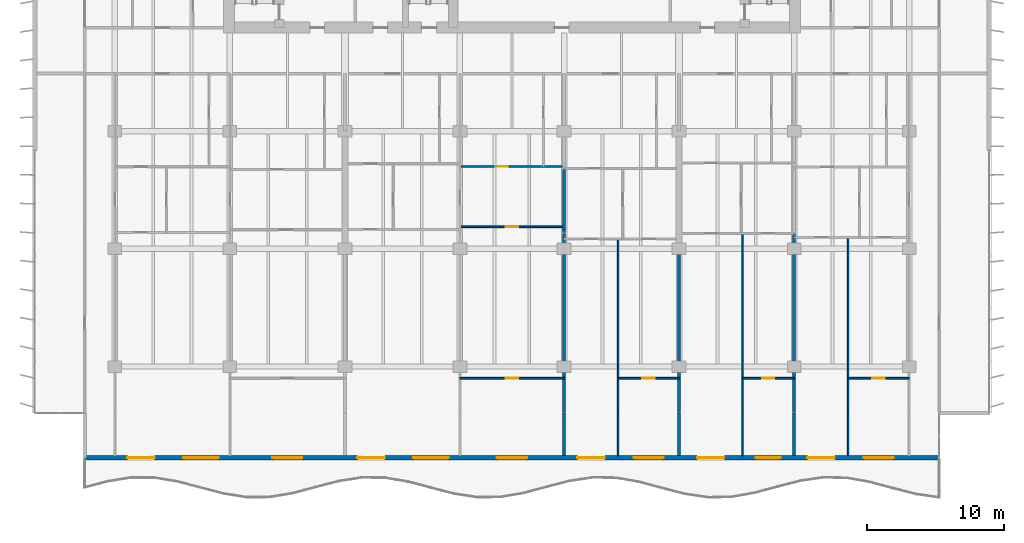
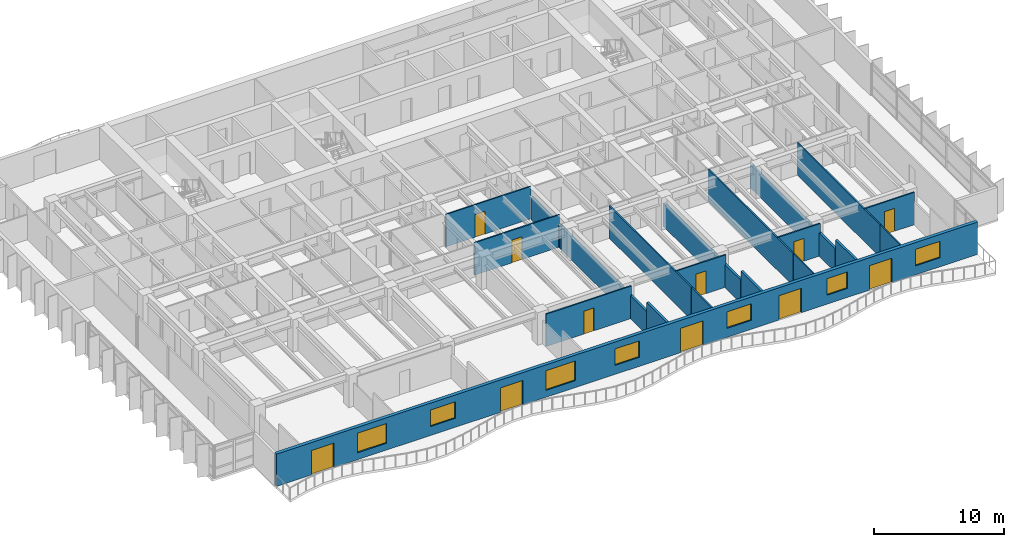
# One storey, part 8 of 20: 21 walls, 11 doors, 7 windows, 18 openings.
"""IFC4 building model written with IfcOpenShell, lengths in metres."""

import ifcopenshell
import ifcopenshell.guid

model = None  # the IFC model being written
_history = None  # IfcOwnerHistory: only IFC2X3 demands one
_inside = {}  # id of a spatial element -> (the spatial element, [elements in it])
_under = {}  # id of a project, library or spatial element -> (it, [spatial elements below it])
_declared = {}  # id of a project -> (the project, [libraries it declares])
_typed = {}  # id of a type object -> (the type object, [elements of that type])
_made_of = {}  # id of a material, layer set ... -> (it, [elements and type objects made of it])


def new_model(schema):
    """Start an empty IFC model of exactly this schema.

    Asked for "IFC4X3", IfcOpenShell would pick the latest addendum, in which some entities
    have other attributes; the version numbers below select the first issue.
    IFC2X3 requires an IfcOwnerHistory on every rooted entity: one is made here for all.
    """
    global model, _history
    if schema == "IFC4X3":
        model = ifcopenshell.file(schema_version=(4, 3, 0, 0))
    else:
        model = ifcopenshell.file(schema=schema)
    _inside.clear()
    _under.clear()
    _declared.clear()
    _typed.clear()
    _made_of.clear()
    _history = None
    if model.schema == "IFC2X3":
        org = make("IfcOrganization", Name="unknown")
        user = make(
            "IfcPersonAndOrganization",
            ThePerson=make("IfcPerson", FamilyName="unknown"),
            TheOrganization=org,
        )
        app = make(
            "IfcApplication",
            ApplicationDeveloper=org,
            Version="unknown",
            ApplicationFullName="unknown",
            ApplicationIdentifier="unknown",
        )
        _history = make(
            "IfcOwnerHistory",
            OwningUser=user,
            OwningApplication=app,
            ChangeAction="ADDED",
            CreationDate=0,
        )
    return model


def make(cls, **values):
    """One entity of the class cls with the attributes given. An attribute that is None is left unset."""
    return model.create_entity(
        cls, **{name: value for name, value in values.items() if value is not None}
    )


def rooted(cls, **values):
    """An entity with a GlobalId (a new one), such as an element, a storey or a relation."""
    return make(cls, GlobalId=ifcopenshell.guid.new(), OwnerHistory=_history, **values)


def si_unit(unit_type, name, prefix=None):
    """IfcSIUnit, for example si_unit("LENGTHUNIT", "METRE", prefix="MILLI")."""
    return make("IfcSIUnit", UnitType=unit_type, Prefix=prefix, Name=name)


def assignment(units):
    """IfcUnitAssignment: the units of a project."""
    return None if units is None else make("IfcUnitAssignment", Units=units)


def point(xyz):
    """IfcCartesianPoint."""
    return None if xyz is None else make("IfcCartesianPoint", Coordinates=xyz)


def direction(xyz):
    """IfcDirection."""
    return None if xyz is None else make("IfcDirection", DirectionRatios=xyz)


def frame(location, z_axis=None, x_axis=None):
    """IfcAxis2Placement3D, a coordinate frame: its origin and axes. An axis left out is left unset."""
    return make(
        "IfcAxis2Placement3D",
        Location=point(location),
        Axis=direction(z_axis),
        RefDirection=direction(x_axis),
    )


def frame_2d(location, x_axis=None):
    """IfcAxis2Placement2D, a coordinate frame in the plane: its origin and x axis."""
    return make(
        "IfcAxis2Placement2D", Location=point(location), RefDirection=direction(x_axis)
    )


def origin():
    """The frame at (0, 0, 0) with its axes left unset."""
    return frame((0.0, 0.0, 0.0))


def place(relative_to, where):
    """IfcLocalPlacement: puts the frame where relative to a parent placement (None: the world)."""
    return make(
        "IfcLocalPlacement", PlacementRelTo=relative_to, RelativePlacement=where
    )


def context(
    kind, dimensions, precision=None, world=None, true_north=None, identifier=None
):
    """IfcGeometricRepresentationContext, for example the 3D "Model" context."""
    return make(
        "IfcGeometricRepresentationContext",
        ContextIdentifier=identifier,
        ContextType=kind,
        CoordinateSpaceDimension=dimensions,
        Precision=precision,
        WorldCoordinateSystem=world,
        TrueNorth=true_north,
    )


def subcontext(parent, identifier, kind, view, scale=None):
    """IfcGeometricRepresentationSubContext, for example "Body" below "Model"."""
    return make(
        "IfcGeometricRepresentationSubContext",
        ContextIdentifier=identifier,
        ContextType=kind,
        ParentContext=parent,
        TargetScale=scale,
        TargetView=view,
    )


def project(units=None, contexts=None):
    """IfcProject with its units and contexts."""
    return rooted(
        "IfcProject",
        Name="project",
        RepresentationContexts=contexts,
        UnitsInContext=assignment(units),
    )


def spatial(cls, under=None, at=None, **own):
    """A site, building, storey or space (cls), placed at a placement, below another one or the project."""
    s = rooted(cls, ObjectPlacement=at, **own)
    if under is not None:
        _under.setdefault(under.id(), (under, []))[1].append(s)
    return s


def profile(cls, at=None, kind="AREA", **sizes):
    """A parametric profile (cls). Its sizes go by their IFC names, for example OverallWidth=200.0."""
    return make(cls, ProfileType=kind, Position=at, **sizes)


def rectangle(**sizes):
    """IfcRectangleProfileDef."""
    return profile("IfcRectangleProfileDef", **sizes)


def extrude(swept, where, along, depth):
    """IfcExtrudedAreaSolid: the profile swept, set in the frame where, extruded along a direction by depth."""
    return make(
        "IfcExtrudedAreaSolid",
        SweptArea=swept,
        Position=where,
        ExtrudedDirection=direction(along),
        Depth=depth,
    )


def shape(context_of_items, identifier, shape_type, items):
    """IfcShapeRepresentation: the items that make up one representation, for example the "Body"."""
    return make(
        "IfcShapeRepresentation",
        ContextOfItems=context_of_items,
        RepresentationIdentifier=identifier,
        RepresentationType=shape_type,
        Items=items,
    )


def material(Name=None, Category=None):
    """IfcMaterial."""
    return make("IfcMaterial", Name=Name, Category=Category)


def layer(
    of_material, thickness, ventilated=None, Name=None, Category=None, Priority=None
):
    """IfcMaterialLayer: one layer of a wall or slab, of a material (None: an air gap)."""
    return make(
        "IfcMaterialLayer",
        Material=of_material,
        LayerThickness=thickness,
        IsVentilated=ventilated,
        Name=Name,
        Category=Category,
        Priority=Priority,
    )


def layer_set(layers, Name=None):
    """IfcMaterialLayerSet."""
    return make("IfcMaterialLayerSet", MaterialLayers=layers, LayerSetName=Name)


def made_of(thing, what):
    """Note that an element or type object is made of a material, layer set ...; save() writes the relation."""
    if what is not None:
        _made_of.setdefault(what.id(), (what, []))[1].append(thing)
    return thing


def type_object(cls, material=None, **own):
    """A type object (cls), such as IfcWallType, which elements share."""
    return made_of(rooted(cls, **own), material)


def element(
    cls,
    number,
    at=None,
    inside=None,
    cuts=None,
    type_object=None,
    material=None,
    context=None,
    identifier="Body",
    shape_type=None,
    held_by="IfcProductDefinitionShape",
    body=None,
    shapes=None,
    **own,
):
    """One element of the class cls, such as IfcWall. Its Tag is "e" and its number.

    at: its placement. inside: the storey or other place that contains it. cuts: it is an
    opening in that element (IfcRelVoidsElement). A single representation is given by context,
    identifier, shape_type and body (its items); several are given by shapes. held_by: the class
    of the entity that holds the representations. save() writes the other relations.
    """
    e = rooted(cls, Tag="e%d" % number, ObjectPlacement=at, **own)
    if body is not None:
        shapes = [shape(context, identifier, shape_type, body)]
    if shapes is not None:
        e.Representation = make(held_by, Representations=shapes)
    if inside is not None:
        _inside.setdefault(inside.id(), (inside, []))[1].append(e)
    if cuts is not None:
        rooted(
            "IfcRelVoidsElement", RelatingBuildingElement=cuts, RelatedOpeningElement=e
        )
    if type_object is not None:
        _typed.setdefault(type_object.id(), (type_object, []))[1].append(e)
    return made_of(e, material)


def fill(opening, filler):
    """IfcRelFillsElement: the door or window that sits in an opening."""
    return rooted(
        "IfcRelFillsElement",
        RelatingOpeningElement=opening,
        RelatedBuildingElement=filler,
    )


def aggregate(whole, parts):
    """IfcRelAggregates: a whole, such as a stair, and the parts it consists of."""
    return rooted("IfcRelAggregates", RelatingObject=whole, RelatedObjects=parts)


def save(model, path):
    """Write the relations noted so far, then the file.

    IfcRelAggregates (storeys below a building ...), IfcRelContainedInSpatialStructure (elements
    in a storey), IfcRelDefinesByType, IfcRelAssociatesMaterial and IfcRelDeclares: one each for
    every whole, place, type object, material and project.
    """
    for whole, parts in _under.values():
        aggregate(whole, parts)
    for where, things in _inside.values():
        rooted(
            "IfcRelContainedInSpatialStructure",
            RelatedElements=things,
            RelatingStructure=where,
        )
    for kind, things in _typed.values():
        rooted("IfcRelDefinesByType", RelatedObjects=things, RelatingType=kind)
    for what, things in _made_of.values():
        rooted("IfcRelAssociatesMaterial", RelatedObjects=things, RelatingMaterial=what)
    for by, libraries in _declared.values():
        rooted("IfcRelDeclares", RelatingContext=by, RelatedDefinitions=libraries)
    model.write(path)


model = new_model("IFC4")

# Units and contexts
model_context = context("Model", 3, precision=1e-05, world=origin(), true_north=direction((0.0, 1.0)))
body_context = subcontext(model_context, "Body", "Model", "MODEL_VIEW")
ifc_project = project(units=[si_unit("LENGTHUNIT", "METRE"), si_unit("AREAUNIT", "SQUARE_METRE"), si_unit("VOLUMEUNIT", "CUBIC_METRE"), si_unit("PLANEANGLEUNIT", "RADIAN"), si_unit("MASSUNIT", "GRAM", prefix="KILO")], contexts=[model_context])

# Site, building, storey
site_placement = place(None, origin())
site = spatial("IfcSite", under=ifc_project, at=site_placement, CompositionType="ELEMENT")
building_placement = place(site_placement, origin())
building = spatial("IfcBuilding", under=site, at=building_placement, Name="Caelmar Bay Residences", CompositionType="ELEMENT")
storey_placement = place(building_placement, frame((0.0, 0.0, 119.10009765625)))
storey = spatial("IfcBuildingStorey", under=building, at=storey_placement, Name="L32", CompositionType="ELEMENT", Elevation=119.10009765625)

# Wall, openings, doors, windows
ifc_material_1 = material(Name="Precast concrete f'c 40 MPa (6,000 psi)", Category="concrete")
ifc_layer_1 = layer(ifc_material_1, 0.300048828125)
ifc_layer_set_1 = layer_set([ifc_layer_1], Name="Precast concrete f'c 40 MPa (6,000 psi)")
wall_type_1 = type_object("IfcWallType", Name="W-EXT-300", PredefinedType="STANDARD", material=ifc_layer_set_1)
wall_1_placement = place(storey_placement, frame((70.10009765625, 5.550048828125, 0.0), z_axis=(0.0, 0.0, 1.0), x_axis=(-1.0, 0.0, 0.0)))
wall_1 = element("IfcWall", 1, at=wall_1_placement, inside=storey, type_object=wall_type_1, Name="L32 South Bayfront Exterior Wall", PredefinedType="STANDARD", context=body_context, shape_type="SweptSolid", body=[
    extrude(rectangle(XDim=62.400146484375, YDim=0.300048828125, at=frame_2d((31.2001953125, 0.0))), origin(), (0.0, 0.0, 1.0), 3.0498046875),
])
opening_1_placement = place(wall_1_placement, frame((57.2900390625, 0.0, 0.0)))
opening_1 = element("IfcOpeningElement", 2, at=opening_1_placement, cuts=wall_1, Name="Opening L32-BD01", PredefinedType="OPENING", context=body_context, shape_type="SweptSolid", body=[
    extrude(rectangle(XDim=2.0, YDim=2.300048828125, at=frame_2d((1.0, 1.14990234375))), frame((0.0, 0.159912109375, 0.0), z_axis=(0.0, -1.0, 0.0), x_axis=(1.0, 0.0, 0.0)), (0.0, 0.0, 1.0), 0.320068359375),
])
opening_2_placement = place(wall_1_placement, frame((52.610107421875, 0.0, 0.64990234375)))
opening_2 = element("IfcOpeningElement", 3, at=opening_2_placement, cuts=wall_1, Name="Opening WN3", PredefinedType="OPENING", context=body_context, shape_type="SweptSolid", body=[
    extrude(rectangle(XDim=2.60009765625, YDim=1.85009765625, at=frame_2d((1.300048828125, 0.925048828125))), frame((0.0, 0.159912109375, 0.0), z_axis=(0.0, -1.0, 0.0), x_axis=(1.0, 0.0, 0.0)), (0.0, 0.0, 1.0), 0.320068359375),
])
opening_3_placement = place(wall_1_placement, frame((46.5, 0.0, 0.85009765625)))
opening_3 = element("IfcOpeningElement", 4, at=opening_3_placement, cuts=wall_1, Name="Opening WN2", PredefinedType="OPENING", context=body_context, shape_type="SweptSolid", body=[
    extrude(rectangle(XDim=2.199951171875, YDim=1.550048828125, at=frame_2d((1.10009765625, 0.77490234375))), frame((0.0, 0.159912109375, 0.0), z_axis=(0.0, -1.0, 0.0), x_axis=(1.0, 0.0, 0.0)), (0.0, 0.0, 1.0), 0.320068359375),
])
opening_4_placement = place(wall_1_placement, frame((40.489990234375, 0.0, 0.0)))
opening_4 = element("IfcOpeningElement", 5, at=opening_4_placement, cuts=wall_1, Name="Opening L32-BD02", PredefinedType="OPENING", context=body_context, shape_type="SweptSolid", body=[
    extrude(rectangle(XDim=2.0, YDim=2.300048828125, at=frame_2d((1.0, 1.14990234375))), frame((0.0, 0.159912109375, 0.0), z_axis=(0.0, -1.0, 0.0), x_axis=(1.0, 0.0, 0.0)), (0.0, 0.0, 1.0), 0.320068359375),
])
opening_5_placement = place(wall_1_placement, frame((35.81005859375, 0.0, 0.64990234375)))
opening_5 = element("IfcOpeningElement", 6, at=opening_5_placement, cuts=wall_1, Name="Opening WN3", PredefinedType="OPENING", context=body_context, shape_type="SweptSolid", body=[
    extrude(rectangle(XDim=2.60009765625, YDim=1.85009765625, at=frame_2d((1.300048828125, 0.925048828125))), frame((0.0, 0.159912109375, 0.0), z_axis=(0.0, -1.0, 0.0), x_axis=(1.0, 0.0, 0.0)), (0.0, 0.0, 1.0), 0.320068359375),
])
opening_6_placement = place(wall_1_placement, frame((30.10009765625, 0.0, 0.85009765625)))
opening_6 = element("IfcOpeningElement", 7, at=opening_6_placement, cuts=wall_1, Name="Opening WN2", PredefinedType="OPENING", context=body_context, shape_type="SweptSolid", body=[
    extrude(rectangle(XDim=2.199951171875, YDim=1.550048828125, at=frame_2d((1.10009765625, 0.77490234375))), frame((0.0, 0.159912109375, 0.0), z_axis=(0.0, -1.0, 0.0), x_axis=(1.0, 0.0, 0.0)), (0.0, 0.0, 1.0), 0.320068359375),
])
opening_7_placement = place(wall_1_placement, frame((24.426025390625, 0.0, 0.0)))
opening_7 = element("IfcOpeningElement", 8, at=opening_7_placement, cuts=wall_1, Name="Opening L32-BD03", PredefinedType="OPENING", context=body_context, shape_type="SweptSolid", body=[
    extrude(rectangle(XDim=2.0, YDim=2.300048828125, at=frame_2d((1.0, 1.14990234375))), frame((0.0, 0.159912109375, 0.0), z_axis=(0.0, -1.0, 0.0), x_axis=(1.0, 0.0, 0.0)), (0.0, 0.0, 1.0), 0.320068359375),
])
opening_8_placement = place(wall_1_placement, frame((20.1259765625, 0.0, 0.85009765625)))
opening_8 = element("IfcOpeningElement", 9, at=opening_8_placement, cuts=wall_1, Name="Opening WN2", PredefinedType="OPENING", context=body_context, shape_type="SweptSolid", body=[
    extrude(rectangle(XDim=2.199951171875, YDim=1.550048828125, at=frame_2d((1.10009765625, 0.77490234375))), frame((0.0, 0.159912109375, 0.0), z_axis=(0.0, -1.0, 0.0), x_axis=(1.0, 0.0, 0.0)), (0.0, 0.0, 1.0), 0.320068359375),
])
opening_9_placement = place(wall_1_placement, frame((15.68994140625, 0.0, 0.0)))
opening_9 = element("IfcOpeningElement", 10, at=opening_9_placement, cuts=wall_1, Name="Opening L32-BD04", PredefinedType="OPENING", context=body_context, shape_type="SweptSolid", body=[
    extrude(rectangle(XDim=2.0, YDim=2.300048828125, at=frame_2d((1.0, 1.14990234375))), frame((0.0, 0.159912109375, 0.0), z_axis=(0.0, -1.0, 0.0), x_axis=(1.0, 0.0, 0.0)), (0.0, 0.0, 1.0), 0.320068359375),
])
opening_10_placement = place(wall_1_placement, frame((11.590087890625, 0.0, 0.85009765625)))
opening_10 = element("IfcOpeningElement", 11, at=opening_10_placement, cuts=wall_1, Name="Opening WN1", PredefinedType="OPENING", context=body_context, shape_type="SweptSolid", body=[
    extrude(rectangle(XDim=1.800048828125, YDim=1.550048828125, at=frame_2d((0.89990234375, 0.77490234375))), frame((0.0, 0.159912109375, 0.0), z_axis=(0.0, -1.0, 0.0), x_axis=(1.0, 0.0, 0.0)), (0.0, 0.0, 1.0), 0.320068359375),
])
opening_11_placement = place(wall_1_placement, frame((7.6259765625, 0.0, 0.0)))
opening_11 = element("IfcOpeningElement", 12, at=opening_11_placement, cuts=wall_1, Name="Opening L32-BD05", PredefinedType="OPENING", context=body_context, shape_type="SweptSolid", body=[
    extrude(rectangle(XDim=2.0, YDim=2.300048828125, at=frame_2d((1.0, 1.14990234375))), frame((0.0, 0.159912109375, 0.0), z_axis=(0.0, -1.0, 0.0), x_axis=(1.0, 0.0, 0.0)), (0.0, 0.0, 1.0), 0.320068359375),
])
opening_12_placement = place(wall_1_placement, frame((3.325927734375, 0.0, 0.85009765625)))
opening_12 = element("IfcOpeningElement", 13, at=opening_12_placement, cuts=wall_1, Name="Opening WN2", PredefinedType="OPENING", context=body_context, shape_type="SweptSolid", body=[
    extrude(rectangle(XDim=2.199951171875, YDim=1.550048828125, at=frame_2d((1.10009765625, 0.77490234375))), frame((0.0, 0.159912109375, 0.0), z_axis=(0.0, -1.0, 0.0), x_axis=(1.0, 0.0, 0.0)), (0.0, 0.0, 1.0), 0.320068359375),
])
ifc_material_2 = material(Name="Anodised bronze thermally broken sliding glass door", Category="glass")
ifc_layer_2 = layer(ifc_material_2, 0.050048828125)
ifc_layer_set_2 = layer_set([ifc_layer_2], Name="Anodised bronze thermally broken sliding glass door")
door_type_1 = type_object("IfcDoorType", Name="D-BAL-2000", OperationType="DOUBLE_DOOR_SLIDING", PredefinedType="DOOR", material=ifc_layer_set_2)
door_1_placement = place(opening_1_placement, origin())
door_1 = element("IfcDoor", 14, at=door_1_placement, inside=storey, type_object=door_type_1, Name="L32 Residence 01 Penthouse Living Salon Balcony Door", OperationType="DOUBLE_DOOR_SLIDING", OverallHeight=2.300048828125, OverallWidth=2.0, PredefinedType="DOOR", context=body_context, shape_type="SweptSolid", body=[
    extrude(rectangle(XDim=2.0, YDim=2.300048828125, at=frame_2d((1.0, 1.14990234375))), frame((0.0, 0.02490234375, 0.0), z_axis=(0.0, -1.0, 0.0), x_axis=(1.0, 0.0, 0.0)), (0.0, 0.0, 1.0), 0.050048828125),
])
fill(opening_1, door_1)
door_2_placement = place(opening_4_placement, origin())
door_2 = element("IfcDoor", 15, at=door_2_placement, inside=storey, type_object=door_type_1, Name="L32 Residence 02 Penthouse Living Salon Balcony Door", OperationType="DOUBLE_DOOR_SLIDING", OverallHeight=2.300048828125, OverallWidth=2.0, PredefinedType="DOOR", context=body_context, shape_type="SweptSolid", body=[
    extrude(rectangle(XDim=2.0, YDim=2.300048828125, at=frame_2d((1.0, 1.14990234375))), frame((0.0, 0.02490234375, 0.0), z_axis=(0.0, -1.0, 0.0), x_axis=(1.0, 0.0, 0.0)), (0.0, 0.0, 1.0), 0.050048828125),
])
fill(opening_4, door_2)
door_3_placement = place(opening_7_placement, origin())
door_3 = element("IfcDoor", 16, at=door_3_placement, inside=storey, type_object=door_type_1, Name="L32 Residence 03 Living Room Balcony Door", OperationType="DOUBLE_DOOR_SLIDING", OverallHeight=2.300048828125, OverallWidth=2.0, PredefinedType="DOOR", context=body_context, shape_type="SweptSolid", body=[
    extrude(rectangle(XDim=2.0, YDim=2.300048828125, at=frame_2d((1.0, 1.14990234375))), frame((0.0, 0.02490234375, 0.0), z_axis=(0.0, -1.0, 0.0), x_axis=(1.0, 0.0, 0.0)), (0.0, 0.0, 1.0), 0.050048828125),
])
fill(opening_7, door_3)
door_4_placement = place(opening_9_placement, origin())
door_4 = element("IfcDoor", 17, at=door_4_placement, inside=storey, type_object=door_type_1, Name="L32 Residence 04 Living Room Balcony Door", OperationType="DOUBLE_DOOR_SLIDING", OverallHeight=2.300048828125, OverallWidth=2.0, PredefinedType="DOOR", context=body_context, shape_type="SweptSolid", body=[
    extrude(rectangle(XDim=2.0, YDim=2.300048828125, at=frame_2d((1.0, 1.14990234375))), frame((0.0, 0.02490234375, 0.0), z_axis=(0.0, -1.0, 0.0), x_axis=(1.0, 0.0, 0.0)), (0.0, 0.0, 1.0), 0.050048828125),
])
fill(opening_9, door_4)
door_5_placement = place(opening_11_placement, origin())
door_5 = element("IfcDoor", 18, at=door_5_placement, inside=storey, type_object=door_type_1, Name="L32 Residence 05 Living Room Balcony Door", OperationType="DOUBLE_DOOR_SLIDING", OverallHeight=2.300048828125, OverallWidth=2.0, PredefinedType="DOOR", context=body_context, shape_type="SweptSolid", body=[
    extrude(rectangle(XDim=2.0, YDim=2.300048828125, at=frame_2d((1.0, 1.14990234375))), frame((0.0, 0.02490234375, 0.0), z_axis=(0.0, -1.0, 0.0), x_axis=(1.0, 0.0, 0.0)), (0.0, 0.0, 1.0), 0.050048828125),
])
fill(opening_11, door_5)
ifc_material_3 = material(Name="Bronze aluminium frame with laminated low-E glass", Category="aluminium")
ifc_layer_3 = layer(ifc_material_3, 0.06005859375)
ifc_layer_set_3 = layer_set([ifc_layer_3], Name="Bronze aluminium frame with laminated low-E glass")
window_type_1 = type_object("IfcWindowType", Name="WIN-BR-1800", PartitioningType="SINGLE_PANEL", PredefinedType="WINDOW", material=ifc_layer_set_3)
window_1_placement = place(opening_10_placement, origin())
window_1 = element("IfcWindow", 19, at=window_1_placement, inside=storey, type_object=window_type_1, Name="L32 Residence 04 Primary Bedroom Window", OverallHeight=1.550048828125, OverallWidth=1.800048828125, PartitioningType="SINGLE_PANEL", PredefinedType="WINDOW", context=body_context, shape_type="SweptSolid", body=[
    extrude(rectangle(XDim=1.800048828125, YDim=1.550048828125, at=frame_2d((0.89990234375, 0.77490234375))), frame((0.0, 0.030029296875, 0.0), z_axis=(0.0, -1.0, 0.0), x_axis=(1.0, 0.0, 0.0)), (0.0, 0.0, 1.0), 0.06005859375),
])
fill(opening_10, window_1)
ifc_layer_4 = layer(ifc_material_3, 0.06005859375)
ifc_layer_set_4 = layer_set([ifc_layer_4], Name="Bronze aluminium frame with laminated low-E glass")
window_type_2 = type_object("IfcWindowType", Name="WIN-BR-2200", PartitioningType="SINGLE_PANEL", PredefinedType="WINDOW", material=ifc_layer_set_4)
window_2_placement = place(opening_3_placement, origin())
window_2 = element("IfcWindow", 20, at=window_2_placement, inside=storey, type_object=window_type_2, Name="L32 Residence 01 Primary Bedroom 1 Window", OverallHeight=1.550048828125, OverallWidth=2.199951171875, PartitioningType="SINGLE_PANEL", PredefinedType="WINDOW", context=body_context, shape_type="SweptSolid", body=[
    extrude(rectangle(XDim=2.199951171875, YDim=1.550048828125, at=frame_2d((1.10009765625, 0.77490234375))), frame((0.0, 0.030029296875, 0.0), z_axis=(0.0, -1.0, 0.0), x_axis=(1.0, 0.0, 0.0)), (0.0, 0.0, 1.0), 0.06005859375),
])
fill(opening_3, window_2)
window_3_placement = place(opening_6_placement, origin())
window_3 = element("IfcWindow", 21, at=window_3_placement, inside=storey, type_object=window_type_2, Name="L32 Residence 02 Primary Bedroom 1 Window", OverallHeight=1.550048828125, OverallWidth=2.199951171875, PartitioningType="SINGLE_PANEL", PredefinedType="WINDOW", context=body_context, shape_type="SweptSolid", body=[
    extrude(rectangle(XDim=2.199951171875, YDim=1.550048828125, at=frame_2d((1.10009765625, 0.77490234375))), frame((0.0, 0.030029296875, 0.0), z_axis=(0.0, -1.0, 0.0), x_axis=(1.0, 0.0, 0.0)), (0.0, 0.0, 1.0), 0.06005859375),
])
fill(opening_6, window_3)
window_4_placement = place(opening_8_placement, origin())
window_4 = element("IfcWindow", 22, at=window_4_placement, inside=storey, type_object=window_type_2, Name="L32 Residence 03 Primary Bedroom Window", OverallHeight=1.550048828125, OverallWidth=2.199951171875, PartitioningType="SINGLE_PANEL", PredefinedType="WINDOW", context=body_context, shape_type="SweptSolid", body=[
    extrude(rectangle(XDim=2.199951171875, YDim=1.550048828125, at=frame_2d((1.10009765625, 0.77490234375))), frame((0.0, 0.030029296875, 0.0), z_axis=(0.0, -1.0, 0.0), x_axis=(1.0, 0.0, 0.0)), (0.0, 0.0, 1.0), 0.06005859375),
])
fill(opening_8, window_4)
window_5_placement = place(opening_12_placement, origin())
window_5 = element("IfcWindow", 23, at=window_5_placement, inside=storey, type_object=window_type_2, Name="L32 Residence 05 Primary Bedroom Window", OverallHeight=1.550048828125, OverallWidth=2.199951171875, PartitioningType="SINGLE_PANEL", PredefinedType="WINDOW", context=body_context, shape_type="SweptSolid", body=[
    extrude(rectangle(XDim=2.199951171875, YDim=1.550048828125, at=frame_2d((1.10009765625, 0.77490234375))), frame((0.0, 0.030029296875, 0.0), z_axis=(0.0, -1.0, 0.0), x_axis=(1.0, 0.0, 0.0)), (0.0, 0.0, 1.0), 0.06005859375),
])
fill(opening_12, window_5)
ifc_layer_5 = layer(ifc_material_3, 0.06005859375)
ifc_layer_set_5 = layer_set([ifc_layer_5], Name="Bronze aluminium frame with laminated low-E glass")
window_type_3 = type_object("IfcWindowType", Name="WIN-LIV-2600", PartitioningType="SINGLE_PANEL", PredefinedType="WINDOW", material=ifc_layer_set_5)
window_6_placement = place(opening_2_placement, origin())
window_6 = element("IfcWindow", 24, at=window_6_placement, inside=storey, type_object=window_type_3, Name="L32 Residence 01 Penthouse Living Salon Panoramic Window", OverallHeight=1.85009765625, OverallWidth=2.60009765625, PartitioningType="SINGLE_PANEL", PredefinedType="WINDOW", context=body_context, shape_type="SweptSolid", body=[
    extrude(rectangle(XDim=2.60009765625, YDim=1.85009765625, at=frame_2d((1.300048828125, 0.925048828125))), frame((0.0, 0.030029296875, 0.0), z_axis=(0.0, -1.0, 0.0), x_axis=(1.0, 0.0, 0.0)), (0.0, 0.0, 1.0), 0.06005859375),
])
fill(opening_2, window_6)
window_7_placement = place(opening_5_placement, origin())
window_7 = element("IfcWindow", 25, at=window_7_placement, inside=storey, type_object=window_type_3, Name="L32 Residence 02 Penthouse Living Salon Panoramic Window", OverallHeight=1.85009765625, OverallWidth=2.60009765625, PartitioningType="SINGLE_PANEL", PredefinedType="WINDOW", context=body_context, shape_type="SweptSolid", body=[
    extrude(rectangle(XDim=2.60009765625, YDim=1.85009765625, at=frame_2d((1.300048828125, 0.925048828125))), frame((0.0, 0.030029296875, 0.0), z_axis=(0.0, -1.0, 0.0), x_axis=(1.0, 0.0, 0.0)), (0.0, 0.0, 1.0), 0.06005859375),
])
fill(opening_5, window_7)

# Walls
ifc_material_4 = material(Name="Acoustic metal-stud gypsum partition 120 mm")
ifc_layer_6 = layer(ifc_material_4, 0.1201171875)
ifc_layer_set_6 = layer_set([ifc_layer_6], Name="Acoustic metal-stud gypsum partition 120 mm")
wall_type_2 = type_object("IfcWallType", Name="W-PRT-120", PredefinedType="PARTITIONING", material=ifc_layer_set_6)
wall_2_placement = place(storey_placement, frame((46.64794921875, 5.695068359375, 0.0), z_axis=(0.0, 0.0, 1.0), x_axis=(0.0, 1.0, 0.0)))
element("IfcWall", 26, at=wall_2_placement, inside=storey, type_object=wall_type_2, Name="L32 Partition Wall V067", PredefinedType="PARTITIONING", context=body_context, shape_type="SweptSolid", body=[
    extrude(rectangle(XDim=3.10498046875, YDim=0.1201171875, at=frame_2d((1.552490234375, 0.0))), origin(), (0.0, 0.0, 1.0), 3.0498046875),
])
wall_3_placement = place(storey_placement, frame((46.64794921875, 8.840087890625, 0.0), z_axis=(0.0, 0.0, 1.0), x_axis=(0.0, 1.0, 0.0)))
element("IfcWall", 27, at=wall_3_placement, inside=storey, type_object=wall_type_2, Name="L32 Partition Wall V068", PredefinedType="PARTITIONING", context=body_context, shape_type="SweptSolid", body=[
    extrude(rectangle(XDim=12.68994140625, YDim=0.1201171875, at=frame_2d((6.344970703125, 0.0))), origin(), (0.0, 0.0, 1.0), 3.0498046875),
])
wall_4_placement = place(storey_placement, frame((55.719970703125, 5.695068359375, 0.0), z_axis=(0.0, 0.0, 1.0), x_axis=(0.0, 1.0, 0.0)))
element("IfcWall", 28, at=wall_4_placement, inside=storey, type_object=wall_type_2, Name="L32 Partition Wall V087", PredefinedType="PARTITIONING", context=body_context, shape_type="SweptSolid", body=[
    extrude(rectangle(XDim=3.10498046875, YDim=0.1201171875, at=frame_2d((1.552490234375, 0.0))), origin(), (0.0, 0.0, 1.0), 3.0498046875),
])
wall_5_placement = place(storey_placement, frame((55.719970703125, 8.840087890625, 0.0), z_axis=(0.0, 0.0, 1.0), x_axis=(0.0, 1.0, 0.0)))
element("IfcWall", 29, at=wall_5_placement, inside=storey, type_object=wall_type_2, Name="L32 Partition Wall V088", PredefinedType="PARTITIONING", context=body_context, shape_type="SweptSolid", body=[
    extrude(rectangle(XDim=13.08984375, YDim=0.1201171875, at=frame_2d((6.544921875, 0.0))), origin(), (0.0, 0.0, 1.0), 3.0498046875),
])
wall_6_placement = place(storey_placement, frame((63.447998046875, 5.695068359375, 0.0), z_axis=(0.0, 0.0, 1.0), x_axis=(0.0, 1.0, 0.0)))
element("IfcWall", 30, at=wall_6_placement, inside=storey, type_object=wall_type_2, Name="L32 Partition Wall V099", PredefinedType="PARTITIONING", context=body_context, shape_type="SweptSolid", body=[
    extrude(rectangle(XDim=3.10498046875, YDim=0.1201171875, at=frame_2d((1.552490234375, 0.0))), origin(), (0.0, 0.0, 1.0), 3.0498046875),
])
wall_7_placement = place(storey_placement, frame((63.447998046875, 8.840087890625, 0.0), z_axis=(0.0, 0.0, 1.0), x_axis=(0.0, 1.0, 0.0)))
element("IfcWall", 31, at=wall_7_placement, inside=storey, type_object=wall_type_2, Name="L32 Partition Wall V100", PredefinedType="PARTITIONING", context=body_context, shape_type="SweptSolid", body=[
    extrude(rectangle(XDim=12.789794921875, YDim=0.1201171875, at=frame_2d((6.39501953125, 0.0))), origin(), (0.0, 0.0, 1.0), 3.0498046875),
])

# Wall, opening, door
wall_8_placement = place(storey_placement, frame((35.10009765625, 11.35009765625, 0.0), z_axis=(0.0, 0.0, 1.0), x_axis=(1.0, 0.0, 0.0)))
wall_8 = element("IfcWall", 32, at=wall_8_placement, inside=storey, type_object=wall_type_2, Name="L32 Partition Wall H125", PredefinedType="PARTITIONING", context=body_context, shape_type="SweptSolid", body=[
    extrude(rectangle(XDim=7.599853515625, YDim=0.1201171875, at=frame_2d((3.7998046875, 0.0))), origin(), (0.0, 0.0, 1.0), 3.0498046875),
])
opening_13_placement = place(wall_8_placement, frame((3.35009765625, 0.0, 0.0)))
opening_13 = element("IfcOpeningElement", 33, at=opening_13_placement, cuts=wall_8, Name="Opening D-L32-142", PredefinedType="OPENING", context=body_context, shape_type="SweptSolid", body=[
    extrude(rectangle(XDim=0.89990234375, YDim=2.14990234375, at=frame_2d((0.449951171875, 1.074951171875))), frame((0.0, 0.070068359375, 0.0), z_axis=(0.0, -1.0, 0.0), x_axis=(1.0, 0.0, 0.0)), (0.0, 0.0, 1.0), 0.14013671875),
])
ifc_material_5 = material(Name="Solid walnut timber interior door leaf and frame", Category="wood")
ifc_layer_7 = layer(ifc_material_5, 0.050048828125)
ifc_layer_set_7 = layer_set([ifc_layer_7], Name="Solid walnut timber interior door leaf and frame")
door_type_2 = type_object("IfcDoorType", Name="D-ROOM-900", OperationType="NOTDEFINED", PredefinedType="DOOR", material=ifc_layer_set_7)
door_6_placement = place(opening_13_placement, origin())
door_6 = element("IfcDoor", 34, at=door_6_placement, inside=storey, type_object=door_type_2, Name="L32 Residence 02 Primary Bedroom 1 Door", OperationType="SINGLE_SWING_RIGHT", OverallHeight=2.14990234375, OverallWidth=0.89990234375, PredefinedType="DOOR", context=body_context, shape_type="SweptSolid", body=[
    extrude(rectangle(XDim=0.89990234375, YDim=2.14990234375, at=frame_2d((0.449951171875, 1.074951171875))), frame((0.0, 0.02490234375, 0.0), z_axis=(0.0, -1.0, 0.0), x_axis=(1.0, 0.0, 0.0)), (0.0, 0.0, 1.0), 0.050048828125),
])
fill(opening_13, door_6)

wall_9_placement = place(storey_placement, frame((46.64794921875, 11.35009765625, 0.0), z_axis=(0.0, 0.0, 1.0), x_axis=(1.0, 0.0, 0.0)))
wall_9 = element("IfcWall", 35, at=wall_9_placement, inside=storey, type_object=wall_type_2, Name="L32 Partition Wall H126", PredefinedType="PARTITIONING", context=body_context, shape_type="SweptSolid", body=[
    extrude(rectangle(XDim=4.4521484375, YDim=0.1201171875, at=frame_2d((2.22607421875, 0.0))), origin(), (0.0, 0.0, 1.0), 3.0498046875),
])
opening_14_placement = place(wall_9_placement, frame((1.77587890625, 0.0, 0.0)))
opening_14 = element("IfcOpeningElement", 36, at=opening_14_placement, cuts=wall_9, Name="Opening D-L32-149", PredefinedType="OPENING", context=body_context, shape_type="SweptSolid", body=[
    extrude(rectangle(XDim=0.89990234375, YDim=2.14990234375, at=frame_2d((0.449951171875, 1.074951171875))), frame((0.0, 0.070068359375, 0.0), z_axis=(0.0, -1.0, 0.0), x_axis=(1.0, 0.0, 0.0)), (0.0, 0.0, 1.0), 0.14013671875),
])
door_7_placement = place(opening_14_placement, origin())
door_7 = element("IfcDoor", 37, at=door_7_placement, inside=storey, type_object=door_type_2, Name="L32 Residence 03 Primary Bedroom Door", OperationType="SINGLE_SWING_LEFT", OverallHeight=2.14990234375, OverallWidth=0.89990234375, PredefinedType="DOOR", context=body_context, shape_type="SweptSolid", body=[
    extrude(rectangle(XDim=0.89990234375, YDim=2.14990234375, at=frame_2d((0.449951171875, 1.074951171875))), frame((0.0, 0.02490234375, 0.0), z_axis=(0.0, -1.0, 0.0), x_axis=(1.0, 0.0, 0.0)), (0.0, 0.0, 1.0), 0.050048828125),
])
fill(opening_14, door_7)

wall_10_placement = place(storey_placement, frame((55.719970703125, 11.35009765625, 0.0), z_axis=(0.0, 0.0, 1.0), x_axis=(1.0, 0.0, 0.0)))
wall_10 = element("IfcWall", 38, at=wall_10_placement, inside=storey, type_object=wall_type_2, Name="L32 Partition Wall H127", PredefinedType="PARTITIONING", context=body_context, shape_type="SweptSolid", body=[
    extrude(rectangle(XDim=3.780029296875, YDim=0.1201171875, at=frame_2d((1.89013671875, 0.0))), origin(), (0.0, 0.0, 1.0), 3.0498046875),
])
opening_15_placement = place(wall_10_placement, frame((1.43994140625, 0.0, 0.0)))
opening_15 = element("IfcOpeningElement", 39, at=opening_15_placement, cuts=wall_10, Name="Opening D-L32-156", PredefinedType="OPENING", context=body_context, shape_type="SweptSolid", body=[
    extrude(rectangle(XDim=0.89990234375, YDim=2.14990234375, at=frame_2d((0.449951171875, 1.074951171875))), frame((0.0, 0.070068359375, 0.0), z_axis=(0.0, -1.0, 0.0), x_axis=(1.0, 0.0, 0.0)), (0.0, 0.0, 1.0), 0.14013671875),
])
door_8_placement = place(opening_15_placement, origin())
door_8 = element("IfcDoor", 40, at=door_8_placement, inside=storey, type_object=door_type_2, Name="L32 Residence 04 Primary Bedroom Door", OperationType="SINGLE_SWING_RIGHT", OverallHeight=2.14990234375, OverallWidth=0.89990234375, PredefinedType="DOOR", context=body_context, shape_type="SweptSolid", body=[
    extrude(rectangle(XDim=0.89990234375, YDim=2.14990234375, at=frame_2d((0.449951171875, 1.074951171875))), frame((0.0, 0.02490234375, 0.0), z_axis=(0.0, -1.0, 0.0), x_axis=(1.0, 0.0, 0.0)), (0.0, 0.0, 1.0), 0.050048828125),
])
fill(opening_15, door_8)

wall_11_placement = place(storey_placement, frame((63.447998046875, 11.35009765625, 0.0), z_axis=(0.0, 0.0, 1.0), x_axis=(1.0, 0.0, 0.0)))
wall_11 = element("IfcWall", 41, at=wall_11_placement, inside=storey, type_object=wall_type_2, Name="L32 Partition Wall H128", PredefinedType="PARTITIONING", context=body_context, shape_type="SweptSolid", body=[
    extrude(rectangle(XDim=4.451904296875, YDim=0.1201171875, at=frame_2d((2.22607421875, 0.0))), origin(), (0.0, 0.0, 1.0), 3.0498046875),
])
opening_16_placement = place(wall_11_placement, frame((1.77587890625, 0.0, 0.0)))
opening_16 = element("IfcOpeningElement", 42, at=opening_16_placement, cuts=wall_11, Name="Opening D-L32-163", PredefinedType="OPENING", context=body_context, shape_type="SweptSolid", body=[
    extrude(rectangle(XDim=0.89990234375, YDim=2.14990234375, at=frame_2d((0.449951171875, 1.074951171875))), frame((0.0, 0.070068359375, 0.0), z_axis=(0.0, -1.0, 0.0), x_axis=(1.0, 0.0, 0.0)), (0.0, 0.0, 1.0), 0.14013671875),
])
door_9_placement = place(opening_16_placement, origin())
door_9 = element("IfcDoor", 43, at=door_9_placement, inside=storey, type_object=door_type_2, Name="L32 Residence 05 Primary Bedroom Door", OperationType="SINGLE_SWING_LEFT", OverallHeight=2.14990234375, OverallWidth=0.89990234375, PredefinedType="DOOR", context=body_context, shape_type="SweptSolid", body=[
    extrude(rectangle(XDim=0.89990234375, YDim=2.14990234375, at=frame_2d((0.449951171875, 1.074951171875))), frame((0.0, 0.02490234375, 0.0), z_axis=(0.0, -1.0, 0.0), x_axis=(1.0, 0.0, 0.0)), (0.0, 0.0, 1.0), 0.050048828125),
])
fill(opening_16, door_9)

wall_12_placement = place(storey_placement, frame((35.10009765625, 22.419921875, 0.0), z_axis=(0.0, 0.0, 1.0), x_axis=(1.0, 0.0, 0.0)))
wall_12 = element("IfcWall", 44, at=wall_12_placement, inside=storey, type_object=wall_type_2, Name="L32 Partition Wall H135", PredefinedType="PARTITIONING", context=body_context, shape_type="SweptSolid", body=[
    extrude(rectangle(XDim=7.599853515625, YDim=0.1201171875, at=frame_2d((3.7998046875, 0.0))), origin(), (0.0, 0.0, 1.0), 3.0498046875),
])
opening_17_placement = place(wall_12_placement, frame((3.35009765625, 0.0, 0.0)))
opening_17 = element("IfcOpeningElement", 45, at=opening_17_placement, cuts=wall_12, Name="Opening D-L32-141", PredefinedType="OPENING", context=body_context, shape_type="SweptSolid", body=[
    extrude(rectangle(XDim=0.89990234375, YDim=2.14990234375, at=frame_2d((0.449951171875, 1.074951171875))), frame((0.0, 0.070068359375, 0.0), z_axis=(0.0, -1.0, 0.0), x_axis=(1.0, 0.0, 0.0)), (0.0, 0.0, 1.0), 0.14013671875),
])
door_10_placement = place(opening_17_placement, origin())
door_10 = element("IfcDoor", 46, at=door_10_placement, inside=storey, type_object=door_type_2, Name="L32 Residence 02 Penthouse Sitting Salon 1 Door", OperationType="SINGLE_SWING_LEFT", OverallHeight=2.14990234375, OverallWidth=0.89990234375, PredefinedType="DOOR", context=body_context, shape_type="SweptSolid", body=[
    extrude(rectangle(XDim=0.89990234375, YDim=2.14990234375, at=frame_2d((0.449951171875, 1.074951171875))), frame((0.0, 0.02490234375, 0.0), z_axis=(0.0, -1.0, 0.0), x_axis=(1.0, 0.0, 0.0)), (0.0, 0.0, 1.0), 0.050048828125),
])
fill(opening_17, door_10)

wall_13_placement = place(storey_placement, frame((35.10009765625, 26.820068359375, 0.0), z_axis=(0.0, 0.0, 1.0), x_axis=(1.0, 0.0, 0.0)))
wall_13 = element("IfcWall", 47, at=wall_13_placement, inside=storey, type_object=wall_type_2, Name="L32 Partition Wall H140", PredefinedType="PARTITIONING", context=body_context, shape_type="SweptSolid", body=[
    extrude(rectangle(XDim=7.594970703125, YDim=0.1201171875, at=frame_2d((3.79736328125, 0.0))), origin(), (0.0, 0.0, 1.0), 3.0498046875),
])
opening_18_placement = place(wall_13_placement, frame((2.60009765625, 0.0, 0.0)))
opening_18 = element("IfcOpeningElement", 48, at=opening_18_placement, cuts=wall_13, Name="Opening D-L32-139", PredefinedType="OPENING", context=body_context, shape_type="SweptSolid", body=[
    extrude(rectangle(XDim=0.89990234375, YDim=2.14990234375, at=frame_2d((0.449951171875, 1.074951171875))), frame((0.0, 0.070068359375, 0.0), z_axis=(0.0, -1.0, 0.0), x_axis=(1.0, 0.0, 0.0)), (0.0, 0.0, 1.0), 0.14013671875),
])
door_11_placement = place(opening_18_placement, origin())
door_11 = element("IfcDoor", 49, at=door_11_placement, inside=storey, type_object=door_type_2, Name="L32 Residence 02 Private Meeting Room 1 Door", OperationType="SINGLE_SWING_LEFT", OverallHeight=2.14990234375, OverallWidth=0.89990234375, PredefinedType="DOOR", context=body_context, shape_type="SweptSolid", body=[
    extrude(rectangle(XDim=0.89990234375, YDim=2.14990234375, at=frame_2d((0.449951171875, 1.074951171875))), frame((0.0, 0.02490234375, 0.0), z_axis=(0.0, -1.0, 0.0), x_axis=(1.0, 0.0, 0.0)), (0.0, 0.0, 1.0), 0.050048828125),
])
fill(opening_18, door_11)

# Walls
ifc_material_6 = material(Name="Acoustic twin-stud fire-rated inter-tenancy partition 200 mm")
ifc_layer_8 = layer(ifc_material_6, 0.199951171875)
ifc_layer_set_8 = layer_set([ifc_layer_8], Name="Acoustic twin-stud fire-rated inter-tenancy partition 200 mm")
wall_type_3 = type_object("IfcWallType", Name="W-PTY-200", PredefinedType="PARTITIONING", material=ifc_layer_set_8)
wall_14_placement = place(storey_placement, frame((42.699951171875, 5.695068359375, 0.0), z_axis=(0.0, 0.0, 1.0), x_axis=(0.0, 1.0, 0.0)))
element("IfcWall", 50, at=wall_14_placement, inside=storey, type_object=wall_type_3, Name="L32 Partition Wall V057", PredefinedType="PARTITIONING", context=body_context, shape_type="SweptSolid", body=[
    extrude(rectangle(XDim=3.10498046875, YDim=0.199951171875, at=frame_2d((1.552490234375, 0.0))), origin(), (0.0, 0.0, 1.0), 3.0498046875),
])
wall_15_placement = place(storey_placement, frame((42.699951171875, 8.840087890625, 0.0), z_axis=(0.0, 0.0, 1.0), x_axis=(0.0, 1.0, 0.0)))
element("IfcWall", 51, at=wall_15_placement, inside=storey, type_object=wall_type_3, Name="L32 Partition Wall V058", PredefinedType="PARTITIONING", context=body_context, shape_type="SweptSolid", body=[
    extrude(rectangle(XDim=13.08984375, YDim=0.199951171875, at=frame_2d((6.544921875, 0.0))), origin(), (0.0, 0.0, 1.0), 2.173828125),
])
wall_16_placement = place(storey_placement, frame((42.699951171875, 22.0, 0.0), z_axis=(0.0, 0.0, 1.0), x_axis=(0.0, 1.0, 0.0)))
element("IfcWall", 52, at=wall_16_placement, inside=storey, type_object=wall_type_3, Name="L32 Partition Wall V059", PredefinedType="PARTITIONING", context=body_context, shape_type="SweptSolid", body=[
    extrude(rectangle(XDim=0.199951171875, YDim=0.199951171875, at=frame_2d((0.10009765625, 0.0))), origin(), (0.0, 0.0, 1.0), 2.173828125),
])
wall_17_placement = place(storey_placement, frame((42.699951171875, 22.219970703125, 0.0), z_axis=(0.0, 0.0, 1.0), x_axis=(0.0, 1.0, 0.0)))
element("IfcWall", 53, at=wall_17_placement, inside=storey, type_object=wall_type_3, Name="L32 Partition Wall V060", PredefinedType="PARTITIONING", context=body_context, shape_type="SweptSolid", body=[
    extrude(rectangle(XDim=4.380126953125, YDim=0.199951171875, at=frame_2d((2.18994140625, 0.0))), origin(), (0.0, 0.0, 1.0), 2.173828125),
])
wall_18_placement = place(storey_placement, frame((51.10009765625, 5.695068359375, 0.0), z_axis=(0.0, 0.0, 1.0), x_axis=(0.0, 1.0, 0.0)))
element("IfcWall", 54, at=wall_18_placement, inside=storey, type_object=wall_type_3, Name="L32 Partition Wall V079", PredefinedType="PARTITIONING", context=body_context, shape_type="SweptSolid", body=[
    extrude(rectangle(XDim=3.10498046875, YDim=0.199951171875, at=frame_2d((1.552490234375, 0.0))), origin(), (0.0, 0.0, 1.0), 3.0498046875),
])
wall_19_placement = place(storey_placement, frame((51.10009765625, 8.840087890625, 0.0), z_axis=(0.0, 0.0, 1.0), x_axis=(0.0, 1.0, 0.0)))
element("IfcWall", 55, at=wall_19_placement, inside=storey, type_object=wall_type_3, Name="L32 Partition Wall V080", PredefinedType="PARTITIONING", context=body_context, shape_type="SweptSolid", body=[
    extrude(rectangle(XDim=11.954833984375, YDim=0.199951171875, at=frame_2d((5.9775390625, 0.0))), origin(), (0.0, 0.0, 1.0), 2.173828125),
])
wall_20_placement = place(storey_placement, frame((59.5, 5.695068359375, 0.0), z_axis=(0.0, 0.0, 1.0), x_axis=(0.0, 1.0, 0.0)))
element("IfcWall", 56, at=wall_20_placement, inside=storey, type_object=wall_type_3, Name="L32 Partition Wall V091", PredefinedType="PARTITIONING", context=body_context, shape_type="SweptSolid", body=[
    extrude(rectangle(XDim=3.10498046875, YDim=0.199951171875, at=frame_2d((1.552490234375, 0.0))), origin(), (0.0, 0.0, 1.0), 3.0498046875),
])
wall_21_placement = place(storey_placement, frame((59.5, 8.840087890625, 0.0), z_axis=(0.0, 0.0, 1.0), x_axis=(0.0, 1.0, 0.0)))
element("IfcWall", 57, at=wall_21_placement, inside=storey, type_object=wall_type_3, Name="L32 Partition Wall V092", PredefinedType="PARTITIONING", context=body_context, shape_type="SweptSolid", body=[
    extrude(rectangle(XDim=13.08984375, YDim=0.199951171875, at=frame_2d((6.544921875, 0.0))), origin(), (0.0, 0.0, 1.0), 2.173828125),
])

save(model, "model.ifc")
